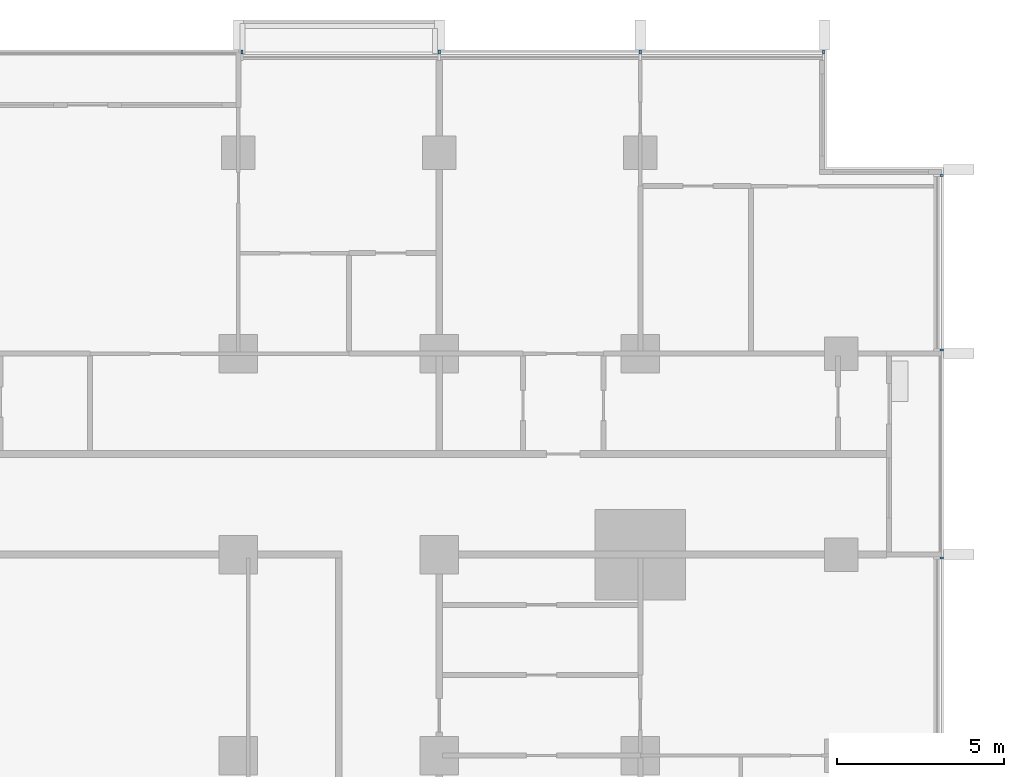
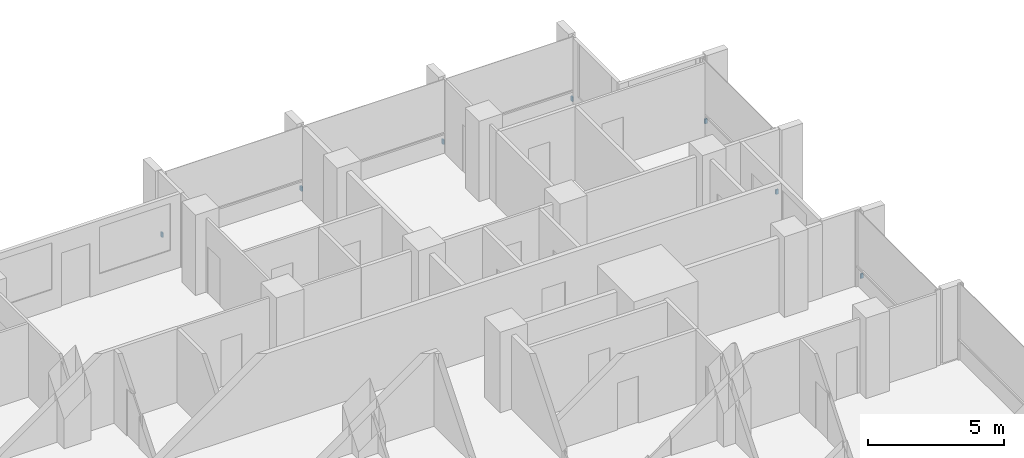
# One storey, part 16 of 17: 7 discrete accessories.
"""IFC4 building model written with IfcOpenShell, lengths in metres."""

from ifc_helpers import new_model, si_unit, direction, frame, origin, origin_2d, place, context, subcontext, project, spatial, rectangle, extrude, material, type_object, element, save


model = new_model("IFC4")

# Units and contexts
model_context = context("Model", 3, precision=1e-05, world=origin(), true_north=direction((0.0, 1.0)))
body_context = subcontext(model_context, "Body", "Model", "MODEL_VIEW")
ifc_project = project(units=[si_unit("LENGTHUNIT", "METRE"), si_unit("AREAUNIT", "SQUARE_METRE"), si_unit("VOLUMEUNIT", "CUBIC_METRE"), si_unit("PLANEANGLEUNIT", "RADIAN"), si_unit("MASSUNIT", "GRAM", prefix="KILO")], contexts=[model_context])

# Site, building, storey
site_placement = place(None, origin())
site = spatial("IfcSite", under=ifc_project, at=site_placement, CompositionType="ELEMENT")
building_placement = place(site_placement, origin())
building = spatial("IfcBuilding", under=site, at=building_placement, Name="Finial Court Residences", CompositionType="ELEMENT")
storey_placement = place(building_placement, frame((0.0, 0.0, 91.89990234375)))
storey = spatial("IfcBuildingStorey", under=building, at=storey_placement, Name="L22", CompositionType="ELEMENT", Elevation=91.89990234375)

# Discrete accessories
ifc_material = material(Name="Stainless steel 316", Category="steel")
discrete_accessory_type = type_object("IfcDiscreteAccessoryType", Name="Fin bracket, stainless steel 65 x 110 x 200", PredefinedType="BRACKET", material=ifc_material)
for number, where, z_axis, x_axis, name in (
    (1, (4.607421875, 22.5048828125, 0.30029296875), (0.0, 0.0, 1.0), (1.0, 0.0, 0.0), "E-L22-FIN-N5-BRK"),
    (2, (10.5, 22.5048828125, 0.30029296875), (0.0, 0.0, 1.0), (1.0, 0.0, 0.0), "E-L22-FIN-N6-BRK"),
    (3, (16.5, 22.5048828125, 0.30029296875), (0.0, 0.0, 1.0), (1.0, 0.0, 0.0), "E-L22-FIN-N7-BRK"),
    (4, (21.967529296875, 22.5048828125, 0.30029296875), (0.0, 0.0, 1.0), (1.0, 0.0, 0.0), "E-L22-FIN-N8-BRK"),
):
    element("IfcDiscreteAccessory", number, at=place(storey_placement, frame(where, z_axis=z_axis, x_axis=x_axis)), inside=storey, type_object=discrete_accessory_type, Name=name, PredefinedType="BRACKET", context=body_context, shape_type="SweptSolid", body=[
        extrude(rectangle(XDim=0.06494140625, YDim=0.110107421875, at=origin_2d()), origin(), (0.0, 0.0, 1.0), 0.199951171875),
    ])
for number, where, z_axis, x_axis, name in (
    (5, (25.5048828125, 7.392578125, 0.30029296875), (0.0, 0.0, 1.0), (1.0, 0.0, 0.0), "E-L22-FIN-E13-BRK"),
    (6, (25.5048828125, 13.607421875, 0.30029296875), (0.0, 0.0, 1.0), (1.0, 0.0, 0.0), "E-L22-FIN-E14-BRK"),
    (7, (25.5048828125, 18.8173828125, 0.30029296875), (0.0, 0.0, 1.0), (1.0, 0.0, 0.0), "E-L22-FIN-E15-BRK"),
):
    element("IfcDiscreteAccessory", number, at=place(storey_placement, frame(where, z_axis=z_axis, x_axis=x_axis)), inside=storey, type_object=discrete_accessory_type, Name=name, PredefinedType="BRACKET", context=body_context, shape_type="SweptSolid", body=[
        extrude(rectangle(XDim=0.110107421875, YDim=0.06494140625, at=origin_2d()), origin(), (0.0, 0.0, 1.0), 0.199951171875),
    ])

save(model, "model.ifc")
